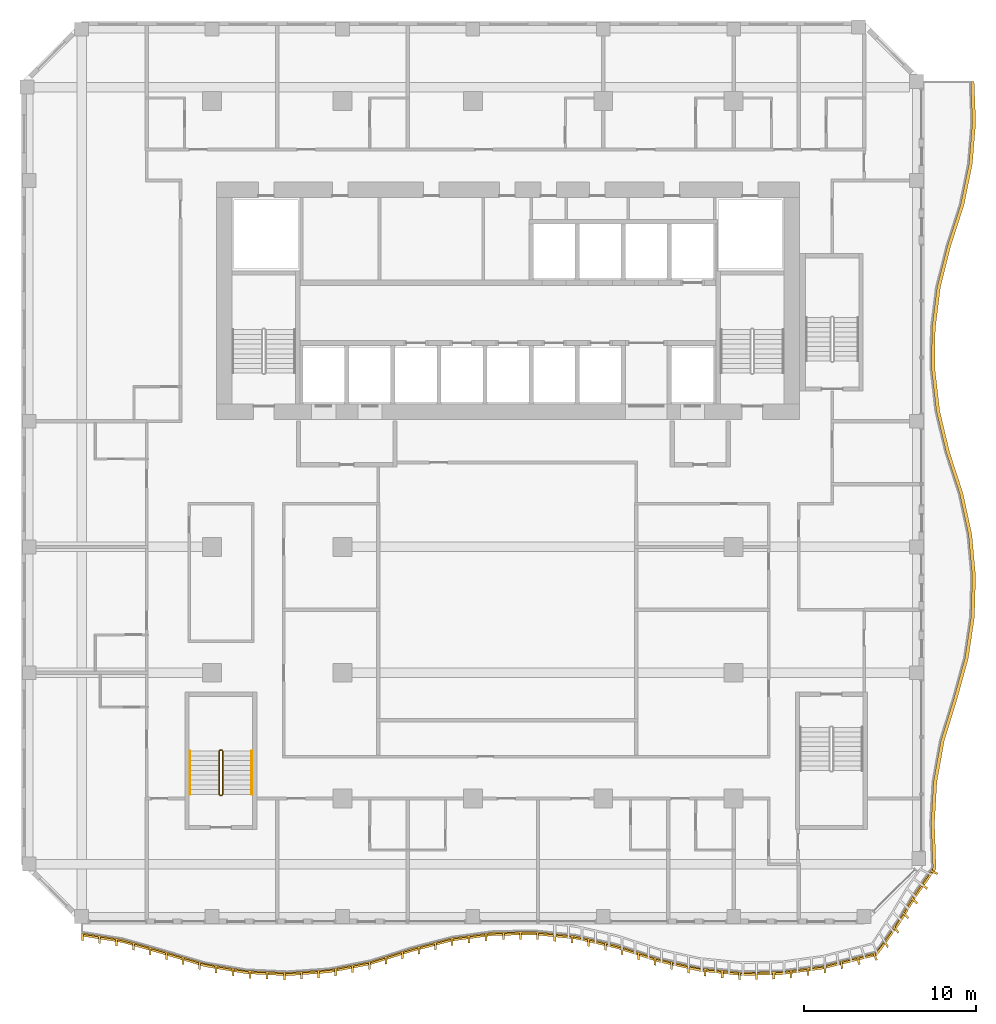
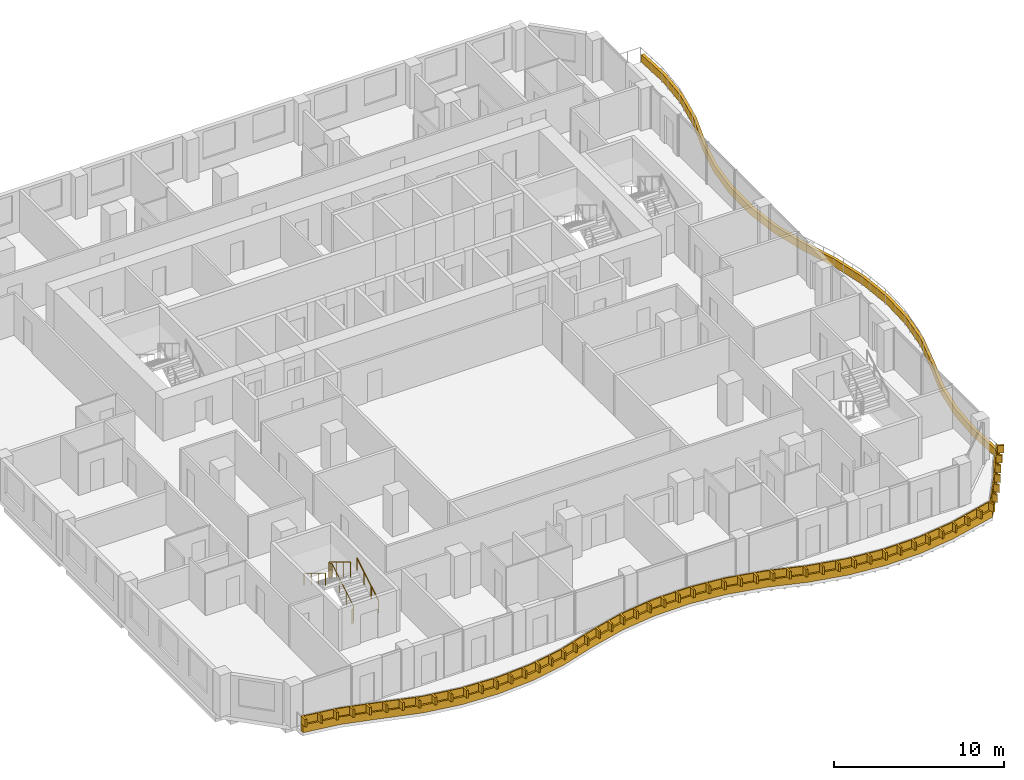
# One storey, part 21 of 23: 3 railings, 2 shading devices.
"""IFC4 building model written with IfcOpenShell, lengths in metres."""

from ifc_helpers import new_model, si_unit, direction, frame, origin, origin_2d, place, context, subcontext, project, spatial, polyline, circle, outline, extrude, source, transform, mapped, material, layer, layer_set, type_object, element, save


model = new_model("IFC4")

# Units and contexts
model_context = context("Model", 3, precision=1e-05, world=origin(), true_north=direction((0.0, 1.0)))
body_context = subcontext(model_context, "Body", "Model", "MODEL_VIEW")
ifc_project = project(units=[si_unit("LENGTHUNIT", "METRE"), si_unit("AREAUNIT", "SQUARE_METRE"), si_unit("VOLUMEUNIT", "CUBIC_METRE"), si_unit("PLANEANGLEUNIT", "RADIAN"), si_unit("MASSUNIT", "GRAM", prefix="KILO")], contexts=[model_context])

# Site, building, storey
site_placement = place(None, origin())
site = spatial("IfcSite", under=ifc_project, at=site_placement, CompositionType="ELEMENT")
building_placement = place(site_placement, origin())
building = spatial("IfcBuilding", under=site, at=building_placement, Name="Kilnfold Tower and Market Hall", CompositionType="ELEMENT")
storey_placement = place(building_placement, frame((0.0, 0.0, 160.89990234375)))
storey = spatial("IfcBuildingStorey", under=building, at=storey_placement, Name="L37", CompositionType="ELEMENT", Elevation=160.89990234375)

# Railings
ifc_material_1 = material(Name="Stainless steel 316", Category="steel")
railing_type_1 = type_object("IfcRailingType", Name="CORE STAIR GUARD 1100", PredefinedType="GUARDRAIL", material=ifc_material_1)
railing_1_placement = place(storey_placement, frame((-15.699951171875, -13.75, 0.0)))
element("IfcRailing", 1, at=railing_1_placement, inside=storey, type_object=railing_type_1, Name="L37 ST3 stair guard 1", PredefinedType="GUARDRAIL", context=body_context, shape_type="SweptSolid", body=[
    extrude(circle(Radius=0.02392578125, at=origin_2d()), frame((0.0, 0.0, 1.076171875), z_axis=(1.0, 0.0, 0.0), x_axis=(0.0, 1.0, 0.0)), (0.0, 0.0, 1.0), 0.099853515625),
    extrude(circle(Radius=0.02392578125, at=origin_2d()), frame((0.099853515625, 0.0, 1.076171875), z_axis=(0.271562723297, 0.271562723297, 0.923313259209), x_axis=(-0.707106781187, 0.707106781187, 0.0)), (0.0, 0.0, 1.0), 0.184326171875),
    extrude(circle(Radius=0.02392578125, at=origin_2d()), frame((0.14990234375, 0.050048828125, 1.24609375), z_axis=(0.0, 0.85478489116, 0.518982456201), x_axis=(-1.0, 0.0, 0.0)), (0.0, 0.0, 1.0), 2.9482421875),
    extrude(circle(Radius=0.02392578125, at=origin_2d()), frame((0.14990234375, 2.570068359375, 2.7763671875), z_axis=(-0.707106781187, 0.707106781187, 0.0), x_axis=(-0.707106781187, -0.707106781187, 0.0)), (0.0, 0.0, 1.0), 0.07080078125),
    extrude(circle(Radius=0.02392578125, at=origin_2d()), frame((0.099853515625, 2.6201171875, 2.7763671875), z_axis=(-1.0, 0.0, 0.0), x_axis=(0.0, -1.0, 0.0)), (0.0, 0.0, 1.0), 0.099853515625),
    extrude(circle(Radius=0.02392578125, at=origin_2d()), frame((0.0, 2.6201171875, 2.7763671875), z_axis=(-0.271895245746, -0.271895245746, 0.923117517265), x_axis=(0.707106781187, -0.707106781187, 0.0)), (0.0, 0.0, 1.0), 0.18408203125),
    extrude(circle(Radius=0.02392578125, at=origin_2d()), frame((-0.050048828125, 2.570068359375, 2.9462890625), z_axis=(0.0, -0.85478489116, 0.518982456201), x_axis=(1.0, 0.0, 0.0)), (0.0, 0.0, 1.0), 2.9482421875),
    extrude(circle(Radius=0.02099609375, at=origin_2d()), origin(), (0.0, 0.0, 1.0), 1.052001953125),
    extrude(circle(Radius=0.02099609375, at=origin_2d()), frame((0.099853515625, 0.0, 0.0)), (0.0, 0.0, 1.0), 1.052001953125),
    extrude(circle(Radius=0.02099609375, at=origin_2d()), frame((0.14990234375, 0.050048828125, 0.170166015625)), (0.0, 0.0, 1.0), 1.052001953125),
    extrude(circle(Radius=0.02099609375, at=origin_2d()), frame((0.14990234375, 0.89013671875, 0.68017578125)), (0.0, 0.0, 1.0), 1.052001953125),
    extrude(circle(Radius=0.02099609375, at=origin_2d()), frame((0.14990234375, 1.72998046875, 1.190185546875)), (0.0, 0.0, 1.0), 1.052001953125),
    extrude(circle(Radius=0.02099609375, at=origin_2d()), frame((0.14990234375, 2.570068359375, 1.7001953125)), (0.0, 0.0, 1.0), 1.052001953125),
    extrude(circle(Radius=0.02099609375, at=origin_2d()), frame((0.099853515625, 2.6201171875, 1.7001953125)), (0.0, 0.0, 1.0), 1.052001953125),
    extrude(circle(Radius=0.02099609375, at=origin_2d()), frame((0.0, 2.6201171875, 1.7001953125)), (0.0, 0.0, 1.0), 1.052001953125),
    extrude(circle(Radius=0.02099609375, at=origin_2d()), frame((-0.050048828125, 2.570068359375, 1.8701171875)), (0.0, 0.0, 1.0), 1.052001953125),
    extrude(circle(Radius=0.02099609375, at=origin_2d()), frame((-0.050048828125, 1.72998046875, 2.380126953125)), (0.0, 0.0, 1.0), 1.052001953125),
    extrude(circle(Radius=0.02099609375, at=origin_2d()), frame((-0.050048828125, 0.89013671875, 2.89013671875)), (0.0, 0.0, 1.0), 1.052001953125),
    extrude(circle(Radius=0.02099609375, at=origin_2d()), frame((-0.050048828125, 0.050048828125, 3.400146484375)), (0.0, 0.0, 1.0), 1.052001953125),
])
ifc_material_2 = material(Name="Stainless steel 316", Category="steel")
railing_type_2 = type_object("IfcRailingType", Name="CORE STAIR HANDRAIL 900", PredefinedType="HANDRAIL", material=ifc_material_2)
railing_2_placement = place(storey_placement, frame((-13.85009765625, -13.699951171875, 0.170166015625)))
element("IfcRailing", 2, at=railing_2_placement, inside=storey, type_object=railing_type_2, Name="L37 ST3 stair handrail 1", PredefinedType="HANDRAIL", context=body_context, shape_type="SweptSolid", body=[
    extrude(circle(Radius=0.02392578125, at=origin_2d()), frame((0.0, 0.0, 0.8759765625), z_axis=(0.0, 0.85478489116, 0.518982456201), x_axis=(-1.0, 0.0, 0.0)), (0.0, 0.0, 1.0), 2.9482421875),
    extrude(circle(Radius=0.02099609375, at=origin_2d()), origin(), (0.0, 0.0, 1.0), 0.851806640625),
    extrude(circle(Radius=0.02099609375, at=origin_2d()), frame((0.0, 0.840087890625, 0.510009765625)), (0.0, 0.0, 1.0), 0.851806640625),
    extrude(circle(Radius=0.02099609375, at=origin_2d()), frame((0.0, 1.679931640625, 1.02001953125)), (0.0, 0.0, 1.0), 0.851806640625),
    extrude(circle(Radius=0.02099609375, at=origin_2d()), frame((0.0, 2.52001953125, 1.530029296875)), (0.0, 0.0, 1.0), 0.851806640625),
])
railing_3_placement = place(storey_placement, frame((-17.449951171875, -11.179931640625, 1.8701171875)))
element("IfcRailing", 3, at=railing_3_placement, inside=storey, type_object=railing_type_2, Name="L37 ST3 stair handrail 2", PredefinedType="HANDRAIL", context=body_context, shape_type="SweptSolid", body=[
    extrude(circle(Radius=0.02392578125, at=origin_2d()), frame((0.0, 0.0, 0.8759765625), z_axis=(0.0, -0.85478489116, 0.518982456201), x_axis=(1.0, 0.0, 0.0)), (0.0, 0.0, 1.0), 2.9482421875),
    extrude(circle(Radius=0.02099609375, at=origin_2d()), origin(), (0.0, 0.0, 1.0), 0.851806640625),
    extrude(circle(Radius=0.02099609375, at=origin_2d()), frame((0.0, -0.840087890625, 0.510009765625)), (0.0, 0.0, 1.0), 0.851806640625),
    extrude(circle(Radius=0.02099609375, at=origin_2d()), frame((0.0, -1.679931640625, 1.02001953125)), (0.0, 0.0, 1.0), 0.851806640625),
    extrude(circle(Radius=0.02099609375, at=origin_2d()), frame((0.0, -2.52001953125, 1.530029296875)), (0.0, 0.0, 1.0), 0.851806640625),
])

# Shading devices
ifc_material_3 = material(Name="Precast concrete C50/60", Category="concrete")
ifc_layer_1 = layer(ifc_material_3, 0.550048828125)
ifc_layer_set_1 = layer_set([ifc_layer_1], Name="Precast concrete C50/60")
shading_device_type_1 = type_object("IfcShadingDeviceType", Name="BALCONY UPSTAND 550", PredefinedType="USERDEFINED", material=ifc_layer_set_1)
shared_shape_1 = source(origin(), body_context, "Body", "SweptSolid", [
    extrude(outline(polyline([(-23.75, -21.9453125), (-21.355224609375, -22.3251953125), (-18.96044921875, -23.01220703125), (-16.56591796875, -23.726806640625), (-14.171142578125, -24.1328125), (-11.7763671875, -24.248779296875), (-9.381591796875, -24.0791015625), (-6.98681640625, -23.61669921875), (-4.592041015625, -22.8583984375), (-2.197509765625, -22.231201171875), (0.197509765625, -21.906494140625), (2.592041015625, -21.869384765625), (4.98681640625, -22.11865234375), (7.381591796875, -22.664794921875), (9.7763671875, -23.4462890625), (12.171142578125, -23.98779296875), (14.56591796875, -24.232177734375), (16.96044921875, -24.190673828125), (19.355224609375, -23.861083984375), (22.507080078125, -23.078125), (23.926513671875, -21.093017578125), (24.801025390625, -19.634521484375), (25.93896484375, -18.035400390625), (25.85009765625, -15.355224609375), (25.989501953125, -12.96044921875), (26.420654296875, -10.56591796875), (27.157470703125, -8.171142578125), (27.817626953125, -5.7763671875), (28.173095703125, -3.381591796875), (28.239990234375, -0.98681640625), (28.02099609375, 1.407958984375), (27.5068359375, 3.802490234375), (26.728271484375, 6.197509765625), (26.15478515625, 8.592041015625), (25.8798828125, 10.98681640625), (25.8916015625, 13.381591796875), (26.190673828125, 15.7763671875), (26.7900390625, 18.171142578125), (27.561279296875, 20.56591796875), (28.05029296875, 22.96044921875), (28.245361328125, 25.355224609375), (28.15478515625, 27.75), (27.95458984375, 27.75), (28.04541015625, 25.355224609375), (27.850341796875, 22.96044921875), (27.361328125, 20.56591796875), (26.590087890625, 18.171142578125), (25.99072265625, 15.7763671875), (25.691650390625, 13.381591796875), (25.679931640625, 10.98681640625), (25.95458984375, 8.592041015625), (26.5283203125, 6.197509765625), (27.306884765625, 3.802490234375), (27.821044921875, 1.407958984375), (28.0400390625, -0.98681640625), (27.97314453125, -3.381591796875), (27.61767578125, -5.7763671875), (26.95751953125, -8.171142578125), (26.220703125, -10.56591796875), (25.78955078125, -12.96044921875), (25.64990234375, -15.355224609375), (25.754150390625, -17.958984375), (24.65966796875, -19.492919921875), (23.78515625, -20.95166015625), (22.4306640625, -22.893310546875), (19.355224609375, -23.660888671875), (16.96044921875, -23.990478515625), (14.56591796875, -24.0322265625), (12.171142578125, -23.78759765625), (9.7763671875, -23.246337890625), (7.381591796875, -22.46484375), (4.98681640625, -21.918701171875), (2.592041015625, -21.66943359375), (0.197509765625, -21.70654296875), (-2.197509765625, -22.03125), (-4.592041015625, -22.658447265625), (-6.98681640625, -23.416748046875), (-9.381591796875, -23.879150390625), (-11.7763671875, -24.048583984375), (-14.171142578125, -23.932861328125), (-16.56591796875, -23.526611328125), (-18.96044921875, -22.81201171875), (-21.355224609375, -22.125244140625), (-23.75, -21.745361328125), (-23.75, -21.9453125)])), origin(), (0.0, 0.0, 1.0), 0.550048828125),
])
shading_device_1_placement = place(storey_placement, origin())
element("IfcShadingDevice", 4, at=shading_device_1_placement, inside=storey, type_object=shading_device_type_1, Name="Balcony fascia L37", ObjectType="FASCIA", PredefinedType="USERDEFINED", context=body_context, shape_type="MappedRepresentation", body=[
    mapped(shared_shape_1, transform((0.0, 0.0, 0.0))),
])
ifc_material_4 = material(Name="Bronze anodised aluminium", Category="aluminium")
ifc_layer_2 = layer(ifc_material_4, 0.550048828125)
ifc_layer_set_2 = layer_set([ifc_layer_2], Name="Bronze anodised aluminium")
shading_device_type_2 = type_object("IfcShadingDeviceType", Name="BRONZE SLAT FASCIA 550", PredefinedType="USERDEFINED", material=ifc_layer_set_2)
shared_shape_2 = source(origin(), body_context, "Body", "SweptSolid", [
    extrude(outline(polyline([(-23.75, -22.1953125), (-23.75, -21.745361328125), (-21.355224609375, -22.125244140625), (-18.96044921875, -22.81201171875), (-16.56591796875, -23.526611328125), (-14.171142578125, -23.932861328125), (-11.7763671875, -24.048583984375), (-9.381591796875, -23.879150390625), (-6.98681640625, -23.416748046875), (-4.592041015625, -22.658447265625), (-2.197509765625, -22.03125), (0.197509765625, -21.70654296875), (2.592041015625, -21.66943359375), (4.98681640625, -21.918701171875), (7.381591796875, -22.46484375), (9.7763671875, -23.246337890625), (12.171142578125, -23.78759765625), (14.56591796875, -24.0322265625), (16.96044921875, -23.990478515625), (19.355224609375, -23.660888671875), (22.4306640625, -22.893310546875), (23.78515625, -20.95166015625), (24.65966796875, -19.492919921875), (25.743896484375, -17.973388671875), (25.7314453125, -18.123779296875), (26.067138671875, -18.276123046875), (25.994140625, -18.37890625), (25.6630859375, -18.218994140625), (25.163818359375, -18.917724609375), (25.459716796875, -19.132080078125), (25.38671875, -19.23486328125), (25.095947265625, -19.01318359375), (24.60986328125, -19.726806640625), (24.87158203125, -19.988525390625), (24.809814453125, -20.091552734375), (24.548095703125, -19.829833984375), (24.095703125, -20.584716796875), (24.357421875, -20.84619140625), (24.295654296875, -20.94921875), (24.033935546875, -20.6875), (23.554443359375, -21.413330078125), (23.792236328125, -21.69287109375), (23.718505859375, -21.793212890625), (23.486328125, -21.509521484375), (22.988525390625, -22.21533203125), (23.17724609375, -22.528564453125), (23.103515625, -22.62890625), (22.9208984375, -22.31201171875), (22.398193359375, -22.98291015625), (22.537109375, -23.325439453125), (22.4169921875, -23.35498046875), (22.283447265625, -23.010986328125), (21.44140625, -23.21923828125), (21.537109375, -23.572265625), (21.417236328125, -23.601806640625), (21.32666015625, -23.247802734375), (20.4853515625, -23.457275390625), (20.537109375, -23.819091796875), (20.417236328125, -23.848876953125), (20.37060546875, -23.486083984375), (19.529296875, -23.697265625), (19.537109375, -24.066162109375), (19.417236328125, -24.095703125), (19.41455078125, -23.72607421875), (18.544921875, -23.8525390625), (18.544921875, -24.222412109375), (18.426025390625, -24.239013671875), (18.426025390625, -23.868896484375), (17.55419921875, -23.989013671875), (17.55419921875, -24.35888671875), (17.435302734375, -24.375244140625), (17.435302734375, -24.00537109375), (16.559814453125, -24.07763671875), (16.559814453125, -24.447509765625), (16.43994140625, -24.44970703125), (16.43994140625, -24.07958984375), (15.56005859375, -24.094970703125), (15.56005859375, -24.46484375), (15.43994140625, -24.467041015625), (15.43994140625, -24.096923828125), (14.560302734375, -24.111572265625), (14.560302734375, -24.481689453125), (14.44091796875, -24.469482421875), (14.44091796875, -24.099365234375), (13.565185546875, -24.010009765625), (13.565185546875, -24.380126953125), (13.446044921875, -24.367919921875), (13.446044921875, -23.997802734375), (12.570556640625, -23.908447265625), (12.570556640625, -24.278564453125), (12.451171875, -24.266357421875), (12.451171875, -23.896240234375), (11.58740234375, -23.735595703125), (11.58740234375, -24.105712890625), (11.47021484375, -24.079345703125), (11.47021484375, -23.709228515625), (10.61181640625, -23.515380859375), (10.61181640625, -23.88525390625), (10.494873046875, -23.85888671875), (10.494873046875, -23.48876953125), (9.64013671875, -23.281982421875), (9.64013671875, -23.65185546875), (9.52587890625, -23.61474609375), (9.52587890625, -23.24462890625), (8.689453125, -22.9716796875), (8.689453125, -23.341796875), (8.5751953125, -23.304443359375), (8.5751953125, -22.9345703125), (7.73876953125, -22.66162109375), (7.73876953125, -23.031494140625), (7.624755859375, -22.994140625), (7.624755859375, -22.624267578125), (6.77294921875, -22.406005859375), (6.77294921875, -22.776123046875), (6.656005859375, -22.74951171875), (6.656005859375, -22.37939453125), (5.798095703125, -22.18359375), (5.798095703125, -22.5537109375), (5.680908203125, -22.527099609375), (5.680908203125, -22.156982421875), (4.819580078125, -21.981201171875), (4.819580078125, -22.351318359375), (4.700439453125, -22.3388671875), (4.700439453125, -21.96875), (3.8251953125, -21.877685546875), (3.8251953125, -22.247802734375), (3.705810546875, -22.2353515625), (3.705810546875, -21.865234375), (2.83056640625, -21.7744140625), (2.83056640625, -22.144287109375), (2.711181640625, -22.1318359375), (2.711181640625, -21.761962890625), (1.831787109375, -21.76123046875), (1.831787109375, -22.131103515625), (1.7119140625, -22.133056640625), (1.7119140625, -21.76318359375), (0.83203125, -21.776611328125), (0.83203125, -22.146728515625), (0.7119140625, -22.1484375), (0.7119140625, -21.778564453125), (-0.164794921875, -21.835693359375), (-0.164794921875, -22.20556640625), (-0.28369140625, -22.2216796875), (-0.28369140625, -21.851806640625), (-1.155517578125, -21.969970703125), (-1.155517578125, -22.340087890625), (-1.2744140625, -22.356201171875), (-1.2744140625, -21.986083984375), (-2.146484375, -22.1044921875), (-2.146484375, -22.474365234375), (-2.263916015625, -22.498779296875), (-2.263916015625, -22.128662109375), (-3.114990234375, -22.351806640625), (-3.114990234375, -22.7216796875), (-3.231201171875, -22.752197265625), (-3.231201171875, -22.382080078125), (-4.08251953125, -22.60498046875), (-4.08251953125, -22.97509765625), (-4.198486328125, -23.00537109375), (-4.198486328125, -22.635498046875), (-5.043212890625, -22.88134765625), (-5.043212890625, -23.251220703125), (-5.15771484375, -23.28759765625), (-5.15771484375, -22.91748046875), (-5.99658203125, -23.18310546875), (-5.99658203125, -23.55322265625), (-6.11083984375, -23.589599609375), (-6.11083984375, -23.219482421875), (-6.949951171875, -23.485107421875), (-6.949951171875, -23.85498046875), (-6.98681640625, -23.86669921875), (-7.066650390625, -23.882080078125), (-7.066650390625, -23.51220703125), (-7.9306640625, -23.678955078125), (-7.9306640625, -24.049072265625), (-8.048583984375, -24.07177734375), (-8.048583984375, -23.701904296875), (-8.91259765625, -23.86865234375), (-8.91259765625, -24.238525390625), (-9.0302734375, -24.261474609375), (-9.0302734375, -23.891357421875), (-9.902587890625, -23.99609375), (-9.902587890625, -24.3662109375), (-10.022216796875, -24.37451171875), (-10.022216796875, -24.00439453125), (-10.89990234375, -24.066650390625), (-10.89990234375, -24.436767578125), (-11.019775390625, -24.4453125), (-11.019775390625, -24.0751953125), (-11.897705078125, -24.122802734375), (-11.897705078125, -24.492919921875), (-12.017578125, -24.487060546875), (-12.017578125, -24.116943359375), (-12.896484375, -24.074462890625), (-12.896484375, -24.444580078125), (-13.016357421875, -24.438720703125), (-13.016357421875, -24.068603515625), (-13.8955078125, -24.026123046875), (-13.8955078125, -24.396240234375), (-14.01513671875, -24.390380859375), (-14.01513671875, -24.0205078125), (-14.885009765625, -23.891845703125), (-14.885009765625, -24.26171875), (-15.003173828125, -24.24169921875), (-15.003173828125, -23.871826171875), (-15.870849609375, -23.724609375), (-15.870849609375, -24.094482421875), (-15.989013671875, -24.074462890625), (-15.989013671875, -23.70458984375), (-16.848388671875, -23.522216796875), (-16.848388671875, -23.892333984375), (-16.96337890625, -23.85791015625), (-16.96337890625, -23.488037109375), (-17.806884765625, -23.236328125), (-17.806884765625, -23.6064453125), (-17.921875, -23.572021484375), (-17.921875, -23.2021484375), (-18.764892578125, -22.950439453125), (-18.764892578125, -23.3203125), (-18.8798828125, -23.2861328125), (-18.8798828125, -22.916015625), (-19.7255859375, -22.672607421875), (-19.7255859375, -23.042724609375), (-19.841064453125, -23.009521484375), (-19.841064453125, -22.6396484375), (-20.68701171875, -22.39697265625), (-20.68701171875, -22.76708984375), (-20.80224609375, -22.73388671875), (-20.80224609375, -22.364013671875), (-21.65625, -22.15771484375), (-21.65625, -22.527587890625), (-21.774658203125, -22.5087890625), (-21.774658203125, -22.138671875), (-22.643798828125, -22.000732421875), (-22.643798828125, -22.370849609375), (-22.762451171875, -22.35205078125), (-22.762451171875, -21.98193359375), (-23.631591796875, -21.843994140625), (-23.631591796875, -22.214111328125), (-23.75, -22.1953125)])), origin(), (0.0, 0.0, 1.0), 0.550048828125),
])
shading_device_2_placement = place(storey_placement, frame((0.0, 0.0, 0.550048828125)))
element("IfcShadingDevice", 5, at=shading_device_2_placement, inside=storey, type_object=shading_device_type_2, Name="Balcony slat fascia L37", ObjectType="SLAT", PredefinedType="USERDEFINED", context=body_context, shape_type="MappedRepresentation", body=[
    mapped(shared_shape_2, transform((0.0, 0.0, 0.0))),
])

save(model, "model.ifc")
